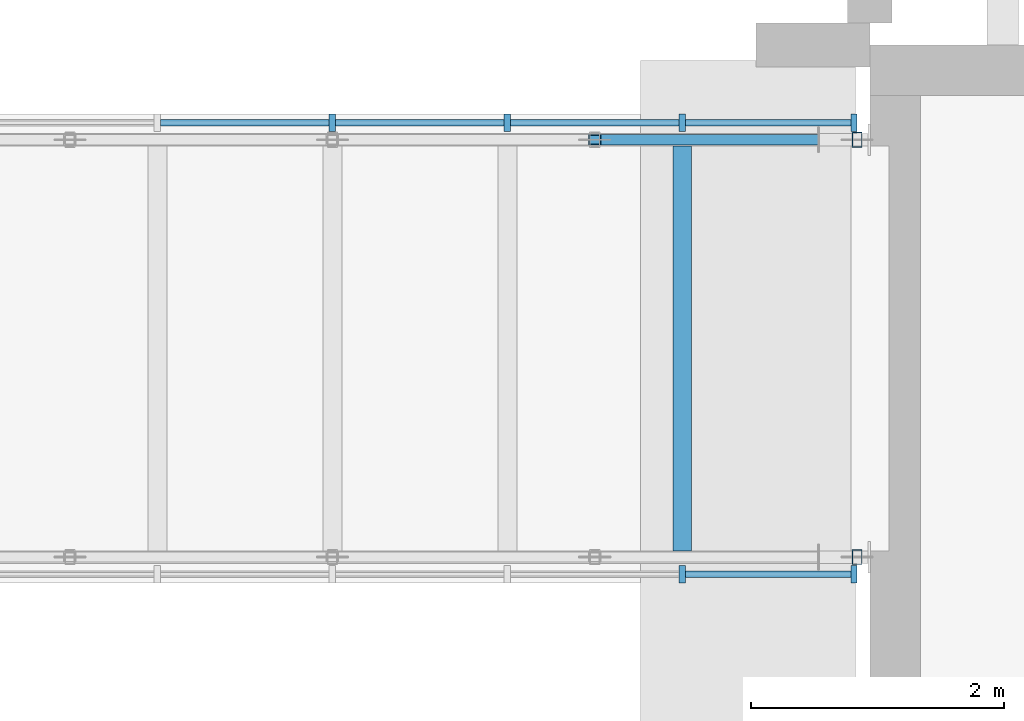
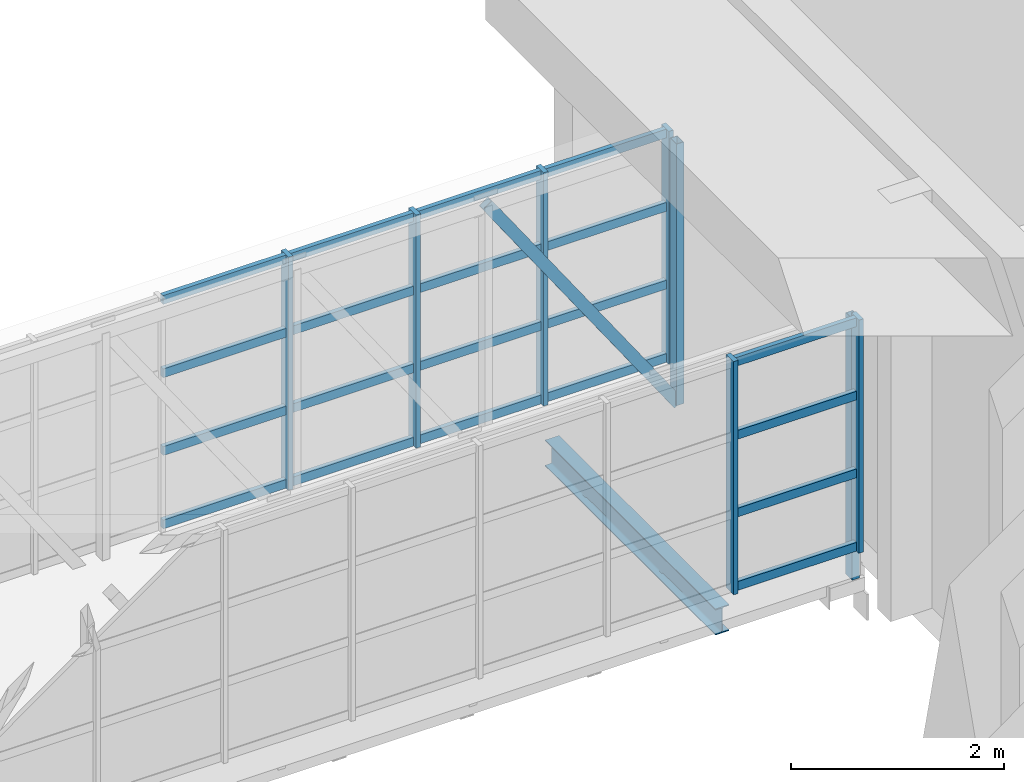
# One storey, part 23 of 86: 29 members, 1 beam, 2 elements without a shape of their own.
"""IFC4 building model written with IfcOpenShell, lengths in metres."""

from ifc_helpers import new_model, si_unit, direction, frame, origin, origin_2d, place, context, subcontext, project, spatial, rectangle, hollow_rectangle, i_section, extrude, material, layer, layer_set, material_profile, profile_set, type_object, element, aggregate, save


model = new_model("IFC4")

# Units and contexts
model_context = context("Model", 3, precision=1e-05, world=origin(), true_north=direction((0.0, 1.0)))
body_context = subcontext(model_context, "Body", "Model", "MODEL_VIEW")
ifc_project = project(units=[si_unit("LENGTHUNIT", "METRE"), si_unit("AREAUNIT", "SQUARE_METRE"), si_unit("VOLUMEUNIT", "CUBIC_METRE"), si_unit("PLANEANGLEUNIT", "RADIAN"), si_unit("MASSUNIT", "GRAM", prefix="KILO")], contexts=[model_context])

# Site, building, storey
site_placement = place(None, origin())
site = spatial("IfcSite", under=ifc_project, at=site_placement, CompositionType="ELEMENT")
building_placement = place(site_placement, origin())
building = spatial("IfcBuilding", under=site, at=building_placement, Name="Kiln Court Media Centre", CompositionType="ELEMENT")
storey_placement = place(building_placement, frame((0.0, 0.0, 10.199951171875)))
storey = spatial("IfcBuildingStorey", under=building, at=storey_placement, Name="L02", CompositionType="ELEMENT", Elevation=10.199951171875)

# Curtain wall, members
ifc_material_1 = material(Name="Aluminium 6063-T6", Category="aluminium")
ifc_layer = layer(ifc_material_1, 0.1201171875)
ifc_layer_set = layer_set([ifc_layer], Name="Aluminium unitised curtain wall, bridge")
curtain_wall_type = type_object("IfcCurtainWallType", Name="Aluminium unitised curtain wall, bridge", PredefinedType="USERDEFINED", material=ifc_layer_set)
curtain_wall_1_placement = place(storey_placement, origin())
curtain_wall_1 = element("IfcCurtainWall", 1, at=curtain_wall_1_placement, inside=storey, type_object=curtain_wall_type, Name="BR-4 side glazing", ObjectType="UNITISED CURTAIN WALL", PredefinedType="USERDEFINED")
ifc_material_2 = material(Name="Aluminium 6063-T6", Category="aluminium")
ifc_material_profile_1 = material_profile(ifc_material_2, rectangle(XDim=0.050048828125, YDim=0.139892578125, at=origin_2d()), Name="Aluminium hall mullion 50x140")
ifc_profile_set_1 = profile_set([ifc_material_profile_1], Name="Aluminium 6063-T6")
member_type_1 = type_object("IfcMemberType", Name="Aluminium hall mullion 50x140", PredefinedType="MULLION", material=ifc_profile_set_1)
member_1_placement = place(storey_placement, frame((116.11669921875, 63.014892578125, 0.0), z_axis=(0.0, 0.0, 1.0), x_axis=(1.0, 0.0, 0.0)))
member_1 = element("IfcMember", 2, at=member_1_placement, type_object=member_type_1, Name="CW2-65 mullion 12", PredefinedType="MULLION", context=body_context, shape_type="SweptSolid", body=[
    extrude(rectangle(XDim=0.050048828125, YDim=0.139892578125, at=origin_2d()), origin(), (0.0, 0.0, 1.0), 2.675048828125),
])
member_2_placement = place(storey_placement, frame((117.47509765625, 63.014892578125, 0.0), z_axis=(0.0, 0.0, 1.0), x_axis=(1.0, 0.0, 0.0)))
member_2 = element("IfcMember", 3, at=member_2_placement, type_object=member_type_1, Name="CW2-65 mullion 13", PredefinedType="MULLION", context=body_context, shape_type="SweptSolid", body=[
    extrude(rectangle(XDim=0.050048828125, YDim=0.139892578125, at=origin_2d()), origin(), (0.0, 0.0, 1.0), 2.675048828125),
])

curtain_wall_2_placement = place(storey_placement, origin())
curtain_wall_2 = element("IfcCurtainWall", 4, at=curtain_wall_2_placement, inside=storey, type_object=curtain_wall_type, Name="BR-4 side glazing", ObjectType="UNITISED CURTAIN WALL", PredefinedType="USERDEFINED")
member_3_placement = place(storey_placement, frame((113.35009765625, 66.5849609375, 0.0), z_axis=(0.0, 0.0, 1.0), x_axis=(1.0, 0.0, 0.0)))
member_3 = element("IfcMember", 5, at=member_3_placement, type_object=member_type_1, Name="CW2-66 mullion 10", PredefinedType="MULLION", context=body_context, shape_type="SweptSolid", body=[
    extrude(rectangle(XDim=0.050048828125, YDim=0.139892578125, at=origin_2d()), origin(), (0.0, 0.0, 1.0), 2.675048828125),
])
member_4_placement = place(storey_placement, frame((114.7333984375, 66.5849609375, 0.0), z_axis=(0.0, 0.0, 1.0), x_axis=(1.0, 0.0, 0.0)))
member_4 = element("IfcMember", 6, at=member_4_placement, type_object=member_type_1, Name="CW2-66 mullion 11", PredefinedType="MULLION", context=body_context, shape_type="SweptSolid", body=[
    extrude(rectangle(XDim=0.050048828125, YDim=0.139892578125, at=origin_2d()), origin(), (0.0, 0.0, 1.0), 2.675048828125),
])
member_5_placement = place(storey_placement, frame((116.11669921875, 66.5849609375, 0.0), z_axis=(0.0, 0.0, 1.0), x_axis=(1.0, 0.0, 0.0)))
member_5 = element("IfcMember", 7, at=member_5_placement, type_object=member_type_1, Name="CW2-66 mullion 12", PredefinedType="MULLION", context=body_context, shape_type="SweptSolid", body=[
    extrude(rectangle(XDim=0.050048828125, YDim=0.139892578125, at=origin_2d()), origin(), (0.0, 0.0, 1.0), 2.675048828125),
])
member_6_placement = place(storey_placement, frame((117.47509765625, 66.5849609375, 0.0), z_axis=(0.0, 0.0, 1.0), x_axis=(1.0, 0.0, 0.0)))
member_6 = element("IfcMember", 8, at=member_6_placement, type_object=member_type_1, Name="CW2-66 mullion 13", PredefinedType="MULLION", context=body_context, shape_type="SweptSolid", body=[
    extrude(rectangle(XDim=0.050048828125, YDim=0.139892578125, at=origin_2d()), origin(), (0.0, 0.0, 1.0), 2.675048828125),
])

# Member
ifc_material_3 = material(Name="Aluminium 6063-T6", Category="aluminium")
ifc_material_profile_2 = material_profile(ifc_material_3, rectangle(XDim=0.050048828125, YDim=0.10009765625, at=origin_2d()), Name="Aluminium hall transom 50x100")
ifc_profile_set_2 = profile_set([ifc_material_profile_2], Name="Aluminium 6063-T6")
member_type_2 = type_object("IfcMemberType", Name="Aluminium hall transom 50x100", PredefinedType="USERDEFINED", material=ifc_profile_set_2)
member_7_placement = place(storey_placement, frame((116.1416015625, 63.014892578125, 0.050048828125), z_axis=(1.0, 0.0, 0.0), x_axis=(0.0, 1.0, 0.0)))
member_7 = element("IfcMember", 9, at=member_7_placement, type_object=member_type_2, Name="CW2-65 transom 12.1", ObjectType="TRANSOM", PredefinedType="USERDEFINED", context=body_context, shape_type="SweptSolid", body=[
    extrude(rectangle(XDim=0.050048828125, YDim=0.10009765625, at=origin_2d()), origin(), (0.0, 0.0, 1.0), 1.308349609375),
])

member_8_placement = place(storey_placement, frame((116.1416015625, 63.014892578125, 0.891845703125), z_axis=(1.0, 0.0, 0.0), x_axis=(0.0, 1.0, 0.0)))
member_8 = element("IfcMember", 10, at=member_8_placement, type_object=member_type_2, Name="CW2-65 transom 12.2", ObjectType="TRANSOM", PredefinedType="USERDEFINED", context=body_context, shape_type="SweptSolid", body=[
    extrude(rectangle(XDim=0.050048828125, YDim=0.10009765625, at=origin_2d()), origin(), (0.0, 0.0, 1.0), 1.308349609375),
])

member_9_placement = place(storey_placement, frame((116.1416015625, 63.014892578125, 1.783447265625), z_axis=(1.0, 0.0, 0.0), x_axis=(0.0, 1.0, 0.0)))
member_9 = element("IfcMember", 11, at=member_9_placement, type_object=member_type_2, Name="CW2-65 transom 12.3", ObjectType="TRANSOM", PredefinedType="USERDEFINED", context=body_context, shape_type="SweptSolid", body=[
    extrude(rectangle(XDim=0.050048828125, YDim=0.10009765625, at=origin_2d()), origin(), (0.0, 0.0, 1.0), 1.308349609375),
])

member_10_placement = place(storey_placement, frame((116.1416015625, 63.014892578125, 2.625), z_axis=(1.0, 0.0, 0.0), x_axis=(0.0, 1.0, 0.0)))
member_10 = element("IfcMember", 12, at=member_10_placement, type_object=member_type_2, Name="CW2-65 transom 12.4", ObjectType="TRANSOM", PredefinedType="USERDEFINED", context=body_context, shape_type="SweptSolid", body=[
    extrude(rectangle(XDim=0.050048828125, YDim=0.10009765625, at=origin_2d()), origin(), (0.0, 0.0, 1.0), 1.308349609375),
])

aggregate(curtain_wall_1, [member_1, member_2, member_7, member_8, member_9, member_10])

member_11_placement = place(storey_placement, frame((111.99169921875, 66.5849609375, 0.050048828125), z_axis=(1.0, 0.0, 0.0), x_axis=(0.0, 1.0, 0.0)))
member_11 = element("IfcMember", 13, at=member_11_placement, type_object=member_type_2, Name="CW2-66 transom 9.1", ObjectType="TRANSOM", PredefinedType="USERDEFINED", context=body_context, shape_type="SweptSolid", body=[
    extrude(rectangle(XDim=0.050048828125, YDim=0.10009765625, at=origin_2d()), origin(), (0.0, 0.0, 1.0), 1.333251953125),
])

member_12_placement = place(storey_placement, frame((111.99169921875, 66.5849609375, 0.891845703125), z_axis=(1.0, 0.0, 0.0), x_axis=(0.0, 1.0, 0.0)))
member_12 = element("IfcMember", 14, at=member_12_placement, type_object=member_type_2, Name="CW2-66 transom 9.2", ObjectType="TRANSOM", PredefinedType="USERDEFINED", context=body_context, shape_type="SweptSolid", body=[
    extrude(rectangle(XDim=0.050048828125, YDim=0.10009765625, at=origin_2d()), origin(), (0.0, 0.0, 1.0), 1.333251953125),
])

member_13_placement = place(storey_placement, frame((111.99169921875, 66.5849609375, 1.783447265625), z_axis=(1.0, 0.0, 0.0), x_axis=(0.0, 1.0, 0.0)))
member_13 = element("IfcMember", 15, at=member_13_placement, type_object=member_type_2, Name="CW2-66 transom 9.3", ObjectType="TRANSOM", PredefinedType="USERDEFINED", context=body_context, shape_type="SweptSolid", body=[
    extrude(rectangle(XDim=0.050048828125, YDim=0.10009765625, at=origin_2d()), origin(), (0.0, 0.0, 1.0), 1.333251953125),
])

member_14_placement = place(storey_placement, frame((111.99169921875, 66.5849609375, 2.625), z_axis=(1.0, 0.0, 0.0), x_axis=(0.0, 1.0, 0.0)))
member_14 = element("IfcMember", 16, at=member_14_placement, type_object=member_type_2, Name="CW2-66 transom 9.4", ObjectType="TRANSOM", PredefinedType="USERDEFINED", context=body_context, shape_type="SweptSolid", body=[
    extrude(rectangle(XDim=0.050048828125, YDim=0.10009765625, at=origin_2d()), origin(), (0.0, 0.0, 1.0), 1.333251953125),
])

member_15_placement = place(storey_placement, frame((113.375, 66.5849609375, 0.050048828125), z_axis=(1.0, 0.0, 0.0), x_axis=(0.0, 1.0, 0.0)))
member_15 = element("IfcMember", 17, at=member_15_placement, type_object=member_type_2, Name="CW2-66 transom 10.1", ObjectType="TRANSOM", PredefinedType="USERDEFINED", context=body_context, shape_type="SweptSolid", body=[
    extrude(rectangle(XDim=0.050048828125, YDim=0.10009765625, at=origin_2d()), origin(), (0.0, 0.0, 1.0), 1.333251953125),
])

member_16_placement = place(storey_placement, frame((113.375, 66.5849609375, 0.891845703125), z_axis=(1.0, 0.0, 0.0), x_axis=(0.0, 1.0, 0.0)))
member_16 = element("IfcMember", 18, at=member_16_placement, type_object=member_type_2, Name="CW2-66 transom 10.2", ObjectType="TRANSOM", PredefinedType="USERDEFINED", context=body_context, shape_type="SweptSolid", body=[
    extrude(rectangle(XDim=0.050048828125, YDim=0.10009765625, at=origin_2d()), origin(), (0.0, 0.0, 1.0), 1.333251953125),
])

member_17_placement = place(storey_placement, frame((113.375, 66.5849609375, 1.783447265625), z_axis=(1.0, 0.0, 0.0), x_axis=(0.0, 1.0, 0.0)))
member_17 = element("IfcMember", 19, at=member_17_placement, type_object=member_type_2, Name="CW2-66 transom 10.3", ObjectType="TRANSOM", PredefinedType="USERDEFINED", context=body_context, shape_type="SweptSolid", body=[
    extrude(rectangle(XDim=0.050048828125, YDim=0.10009765625, at=origin_2d()), origin(), (0.0, 0.0, 1.0), 1.333251953125),
])

member_18_placement = place(storey_placement, frame((113.375, 66.5849609375, 2.625), z_axis=(1.0, 0.0, 0.0), x_axis=(0.0, 1.0, 0.0)))
member_18 = element("IfcMember", 20, at=member_18_placement, type_object=member_type_2, Name="CW2-66 transom 10.4", ObjectType="TRANSOM", PredefinedType="USERDEFINED", context=body_context, shape_type="SweptSolid", body=[
    extrude(rectangle(XDim=0.050048828125, YDim=0.10009765625, at=origin_2d()), origin(), (0.0, 0.0, 1.0), 1.333251953125),
])

member_19_placement = place(storey_placement, frame((114.75830078125, 66.5849609375, 0.050048828125), z_axis=(1.0, 0.0, 0.0), x_axis=(0.0, 1.0, 0.0)))
member_19 = element("IfcMember", 21, at=member_19_placement, type_object=member_type_2, Name="CW2-66 transom 11.1", ObjectType="TRANSOM", PredefinedType="USERDEFINED", context=body_context, shape_type="SweptSolid", body=[
    extrude(rectangle(XDim=0.050048828125, YDim=0.10009765625, at=origin_2d()), origin(), (0.0, 0.0, 1.0), 1.333251953125),
])

member_20_placement = place(storey_placement, frame((114.75830078125, 66.5849609375, 0.891845703125), z_axis=(1.0, 0.0, 0.0), x_axis=(0.0, 1.0, 0.0)))
member_20 = element("IfcMember", 22, at=member_20_placement, type_object=member_type_2, Name="CW2-66 transom 11.2", ObjectType="TRANSOM", PredefinedType="USERDEFINED", context=body_context, shape_type="SweptSolid", body=[
    extrude(rectangle(XDim=0.050048828125, YDim=0.10009765625, at=origin_2d()), origin(), (0.0, 0.0, 1.0), 1.333251953125),
])

member_21_placement = place(storey_placement, frame((114.75830078125, 66.5849609375, 1.783447265625), z_axis=(1.0, 0.0, 0.0), x_axis=(0.0, 1.0, 0.0)))
member_21 = element("IfcMember", 23, at=member_21_placement, type_object=member_type_2, Name="CW2-66 transom 11.3", ObjectType="TRANSOM", PredefinedType="USERDEFINED", context=body_context, shape_type="SweptSolid", body=[
    extrude(rectangle(XDim=0.050048828125, YDim=0.10009765625, at=origin_2d()), origin(), (0.0, 0.0, 1.0), 1.333251953125),
])

member_22_placement = place(storey_placement, frame((114.75830078125, 66.5849609375, 2.625), z_axis=(1.0, 0.0, 0.0), x_axis=(0.0, 1.0, 0.0)))
member_22 = element("IfcMember", 24, at=member_22_placement, type_object=member_type_2, Name="CW2-66 transom 11.4", ObjectType="TRANSOM", PredefinedType="USERDEFINED", context=body_context, shape_type="SweptSolid", body=[
    extrude(rectangle(XDim=0.050048828125, YDim=0.10009765625, at=origin_2d()), origin(), (0.0, 0.0, 1.0), 1.333251953125),
])

member_23_placement = place(storey_placement, frame((116.1416015625, 66.5849609375, 0.050048828125), z_axis=(1.0, 0.0, 0.0), x_axis=(0.0, 1.0, 0.0)))
member_23 = element("IfcMember", 25, at=member_23_placement, type_object=member_type_2, Name="CW2-66 transom 12.1", ObjectType="TRANSOM", PredefinedType="USERDEFINED", context=body_context, shape_type="SweptSolid", body=[
    extrude(rectangle(XDim=0.050048828125, YDim=0.10009765625, at=origin_2d()), origin(), (0.0, 0.0, 1.0), 1.308349609375),
])

member_24_placement = place(storey_placement, frame((116.1416015625, 66.5849609375, 0.891845703125), z_axis=(1.0, 0.0, 0.0), x_axis=(0.0, 1.0, 0.0)))
member_24 = element("IfcMember", 26, at=member_24_placement, type_object=member_type_2, Name="CW2-66 transom 12.2", ObjectType="TRANSOM", PredefinedType="USERDEFINED", context=body_context, shape_type="SweptSolid", body=[
    extrude(rectangle(XDim=0.050048828125, YDim=0.10009765625, at=origin_2d()), origin(), (0.0, 0.0, 1.0), 1.308349609375),
])

member_25_placement = place(storey_placement, frame((116.1416015625, 66.5849609375, 1.783447265625), z_axis=(1.0, 0.0, 0.0), x_axis=(0.0, 1.0, 0.0)))
member_25 = element("IfcMember", 27, at=member_25_placement, type_object=member_type_2, Name="CW2-66 transom 12.3", ObjectType="TRANSOM", PredefinedType="USERDEFINED", context=body_context, shape_type="SweptSolid", body=[
    extrude(rectangle(XDim=0.050048828125, YDim=0.10009765625, at=origin_2d()), origin(), (0.0, 0.0, 1.0), 1.308349609375),
])

member_26_placement = place(storey_placement, frame((116.1416015625, 66.5849609375, 2.625), z_axis=(1.0, 0.0, 0.0), x_axis=(0.0, 1.0, 0.0)))
member_26 = element("IfcMember", 28, at=member_26_placement, type_object=member_type_2, Name="CW2-66 transom 12.4", ObjectType="TRANSOM", PredefinedType="USERDEFINED", context=body_context, shape_type="SweptSolid", body=[
    extrude(rectangle(XDim=0.050048828125, YDim=0.10009765625, at=origin_2d()), origin(), (0.0, 0.0, 1.0), 1.308349609375),
])

aggregate(curtain_wall_2, [member_3, member_4, member_5, member_6, member_11, member_12, member_13, member_14, member_15, member_16, member_17, member_18, member_19, member_20, member_21, member_22, member_23, member_24, member_25, member_26])

# Members
ifc_material_4 = material(Name="Steel ASTM A500 Gr C", Category="steel")
ifc_material_profile_3 = material_profile(ifc_material_4, hollow_rectangle(XDim=0.080078125, YDim=0.1201171875, WallThickness=0.00634765625, at=origin_2d()), Name="RHS 120x80x6.3")
ifc_profile_set_3 = profile_set([ifc_material_profile_3], Name="Steel ASTM A500 Gr C")
member_type_3 = type_object("IfcMemberType", Name="Steel ASTM A500 Gr C RHS 120x80x6.3 bridge truss web", PredefinedType="BRACE", material=ifc_profile_set_3)
for number, where, z_axis, x_axis, name in (
    (29, (117.5, 63.14990234375, -0.39990234375), (0.0, 0.0, 1.0), (1.0, 0.0, 0.0), "bridge BR-4 side truss 1 post 9 bridge truss web"),
    (30, (117.5, 66.449951171875, -0.39990234375), (0.0, 0.0, 1.0), (1.0, 0.0, 0.0), "bridge BR-4 side truss 2 post 9 bridge truss web"),
):
    element("IfcMember", number, at=place(storey_placement, frame(where, z_axis=z_axis, x_axis=x_axis)), inside=storey, type_object=member_type_3, Name=name, PredefinedType="BRACE", context=body_context, shape_type="SweptSolid", body=[
        extrude(hollow_rectangle(XDim=0.080078125, YDim=0.1201171875, WallThickness=0.00634765625, at=origin_2d()), origin(), (0.0, 0.0, 1.0), 3.0),
    ])
member_27_placement = place(storey_placement, frame((115.425048828125, 66.449951171875, 2.60009765625), z_axis=(0.568844480686, 0.0, -0.822445108681), x_axis=(0.0, 1.0, 0.0)))
element("IfcMember", 31, at=member_27_placement, inside=storey, type_object=member_type_3, Name="bridge BR-4 side truss 2 diagonal 8 bridge truss web", PredefinedType="BRACE", context=body_context, shape_type="SweptSolid", body=[
    extrude(hollow_rectangle(XDim=0.080078125, YDim=0.1201171875, WallThickness=0.00634765625, at=origin_2d()), origin(), (0.0, 0.0, 1.0), 3.647705078125),
])

# Beam
ifc_material_5 = material(Name="Steel ASTM A572 Gr 50", Category="steel")
ifc_material_profile_4 = material_profile(ifc_material_5, i_section(OverallWidth=0.14990234375, OverallDepth=0.300048828125, WebThickness=0.007080078125, FlangeThickness=0.0107421875, FilletRadius=0.014892578125, at=origin_2d()), Name="IPE 300")
ifc_profile_set_4 = profile_set([ifc_material_profile_4], Name="Steel ASTM A572 Gr 50")
beam_type = type_object("IfcBeamType", Name="Steel ASTM A572 Gr 50 IPE 300 bridge floor beam", PredefinedType="BEAM", material=ifc_profile_set_4)
beam_placement = place(storey_placement, frame((116.11669921875, 63.199951171875, -0.449951171875), z_axis=(0.0, 1.0, 0.0), x_axis=(-1.0, 0.0, 0.0)))
element("IfcBeam", 32, at=beam_placement, inside=storey, type_object=beam_type, Name="bridge BR-4 floor beam 11 bridge floor beam", PredefinedType="BEAM", context=body_context, shape_type="SweptSolid", body=[
    extrude(i_section(OverallWidth=0.14990234375, OverallDepth=0.300048828125, WebThickness=0.007080078125, FlangeThickness=0.0107421875, FilletRadius=0.014892578125, at=origin_2d()), origin(), (0.0, 0.0, 1.0), 3.199951171875),
])

save(model, "model.ifc")
